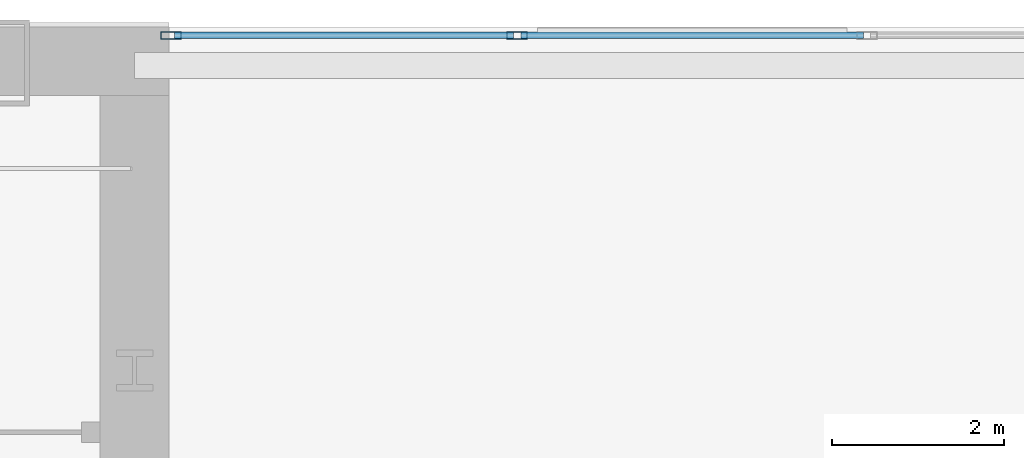
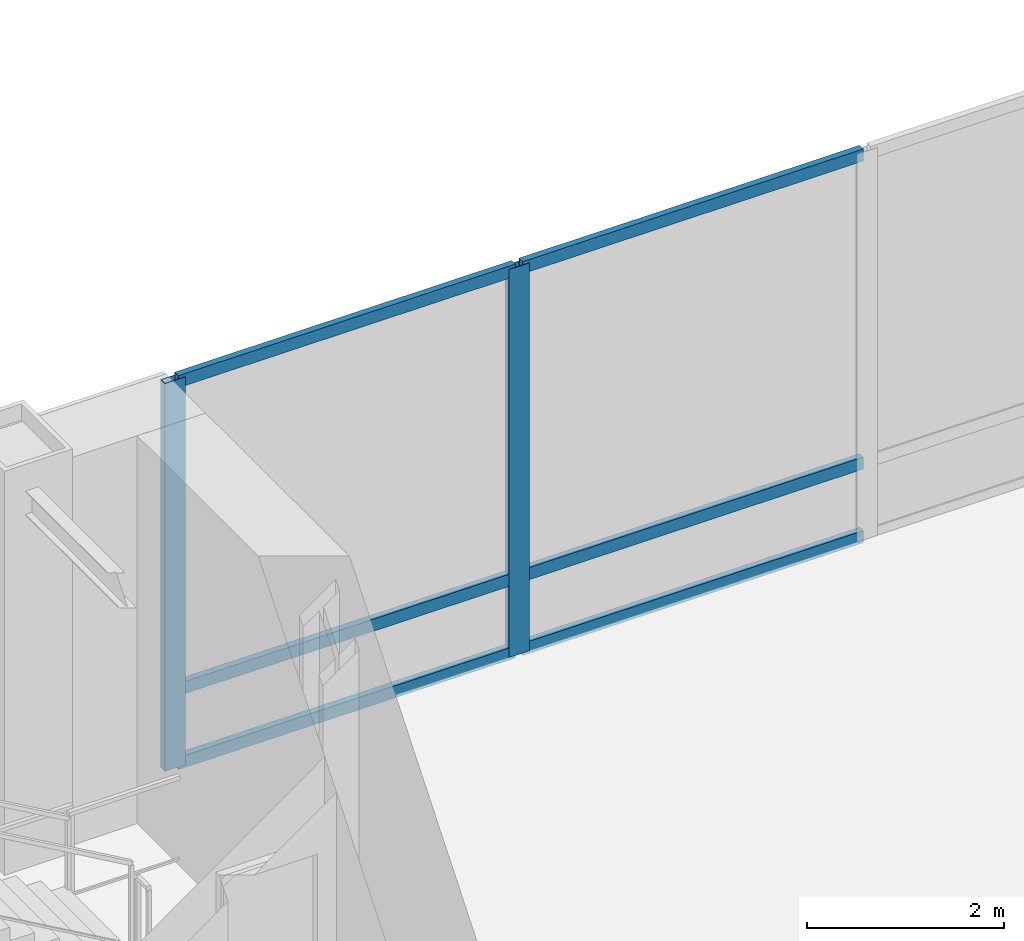
# One storey, part 13 of 25: 8 members, 1 element without a shape of its own.
"""IFC4 building model written with IfcOpenShell, lengths in metres."""

from ifc_helpers import new_model, si_unit, direction, frame, origin, origin_2d, place, context, subcontext, project, spatial, hollow_rectangle, extrude, material, material_profile, profile_set, type_object, element, aggregate, save


model = new_model("IFC4")

# Units and contexts
model_context = context("Model", 3, precision=1e-05, world=origin(), true_north=direction((0.0, 1.0)))
body_context = subcontext(model_context, "Body", "Model", "MODEL_VIEW")
ifc_project = project(units=[si_unit("LENGTHUNIT", "METRE"), si_unit("AREAUNIT", "SQUARE_METRE"), si_unit("VOLUMEUNIT", "CUBIC_METRE"), si_unit("PLANEANGLEUNIT", "RADIAN"), si_unit("MASSUNIT", "GRAM", prefix="KILO")], contexts=[model_context])

# Site, building, storey
site_placement = place(None, origin())
site = spatial("IfcSite", under=ifc_project, at=site_placement, CompositionType="ELEMENT")
building_placement = place(site_placement, origin())
building = spatial("IfcBuilding", under=site, at=building_placement, Name="Khoronbel Lancet Exchange", CompositionType="ELEMENT")
storey_placement = place(building_placement, frame((0.0, 0.0, 10.39990234375)))
storey = spatial("IfcBuildingStorey", under=building, at=storey_placement, Name="L02", CompositionType="ELEMENT", Elevation=10.39990234375)

# Curtain wall, members
ifc_material_1 = material(Name="Low-E Solar Control Insulating Glass", Category="glass")
curtain_wall_type = type_object("IfcCurtainWallType", Name="CW-5", PredefinedType="NOTDEFINED", material=ifc_material_1)
curtain_wall_placement = place(storey_placement, origin())
curtain_wall = element("IfcCurtainWall", 1, at=curtain_wall_placement, inside=storey, type_object=curtain_wall_type, Name="Unitised curtain wall CW-L02-NE", PredefinedType="NOTDEFINED")
ifc_material_2 = material(Name="Bronze-Anodised Aluminium 6063-T6", Category="aluminium")
ifc_material_profile_1 = material_profile(ifc_material_2, hollow_rectangle(XDim=0.0849609375, YDim=0.239990234375, WallThickness=0.006103515625, at=origin_2d()), Name="ALU MULLION 85x240")
ifc_profile_set_1 = profile_set([ifc_material_profile_1], Name="Bronze-Anodised Aluminium 6063-T6")
member_type_1 = type_object("IfcMemberType", Name="MEM-CWM1", PredefinedType="MULLION", material=ifc_profile_set_1)
member_1_placement = place(storey_placement, frame((56.722412109375, 53.60009765625, 0.0), z_axis=(0.0, 0.0, 1.0), x_axis=(0.0, 1.0, 0.0)))
member_1 = element("IfcMember", 2, at=member_1_placement, type_object=member_type_1, Name="CW5 mullion 1", PredefinedType="MULLION", context=body_context, shape_type="SweptSolid", body=[
    extrude(hollow_rectangle(XDim=0.0849609375, YDim=0.239990234375, WallThickness=0.006103515625, at=origin_2d()), origin(), (0.0, 0.0, 1.0), 4.800048828125),
])
member_2_placement = place(storey_placement, frame((60.75341796875, 53.60009765625, 0.0), z_axis=(0.0, 0.0, 1.0), x_axis=(0.0, 1.0, 0.0)))
member_2 = element("IfcMember", 3, at=member_2_placement, type_object=member_type_1, Name="CW5 mullion 2", PredefinedType="MULLION", context=body_context, shape_type="SweptSolid", body=[
    extrude(hollow_rectangle(XDim=0.0849609375, YDim=0.239990234375, WallThickness=0.006103515625, at=origin_2d()), origin(), (0.0, 0.0, 1.0), 4.800048828125),
])
ifc_material_profile_2 = material_profile(ifc_material_2, hollow_rectangle(XDim=0.074951171875, YDim=0.14990234375, WallThickness=0.00439453125, at=origin_2d()), Name="ALU TRANSOM 75x150")
ifc_profile_set_2 = profile_set([ifc_material_profile_2], Name="Bronze-Anodised Aluminium 6063-T6")
member_type_2 = type_object("IfcMemberType", Name="MEM-CWT2", PredefinedType="USERDEFINED", material=ifc_profile_set_2)
member_3_placement = place(storey_placement, frame((56.764892578125, 53.60009765625, 0.03759765625), z_axis=(1.0, 0.0, 0.0), x_axis=(0.0, 1.0, 0.0)))
member_3 = element("IfcMember", 4, at=member_3_placement, type_object=member_type_2, Name="CW5 transom 1.1", ObjectType="TRANSOM", PredefinedType="USERDEFINED", context=body_context, shape_type="SweptSolid", body=[
    extrude(hollow_rectangle(XDim=0.074951171875, YDim=0.14990234375, WallThickness=0.00439453125, at=origin_2d()), origin(), (0.0, 0.0, 1.0), 3.946044921875),
])
member_4_placement = place(storey_placement, frame((56.764892578125, 53.60009765625, 0.9501953125), z_axis=(1.0, 0.0, 0.0), x_axis=(0.0, 1.0, 0.0)))
member_4 = element("IfcMember", 5, at=member_4_placement, type_object=member_type_2, Name="CW5 transom 1.2", ObjectType="TRANSOM", PredefinedType="USERDEFINED", context=body_context, shape_type="SweptSolid", body=[
    extrude(hollow_rectangle(XDim=0.074951171875, YDim=0.14990234375, WallThickness=0.00439453125, at=origin_2d()), origin(), (0.0, 0.0, 1.0), 3.946044921875),
])
member_5_placement = place(storey_placement, frame((56.764892578125, 53.60009765625, 4.7626953125), z_axis=(1.0, 0.0, 0.0), x_axis=(0.0, 1.0, 0.0)))
member_5 = element("IfcMember", 6, at=member_5_placement, type_object=member_type_2, Name="CW5 transom 1.3", ObjectType="TRANSOM", PredefinedType="USERDEFINED", context=body_context, shape_type="SweptSolid", body=[
    extrude(hollow_rectangle(XDim=0.074951171875, YDim=0.14990234375, WallThickness=0.00439453125, at=origin_2d()), origin(), (0.0, 0.0, 1.0), 3.946044921875),
])
member_6_placement = place(storey_placement, frame((60.7958984375, 53.60009765625, 0.03759765625), z_axis=(1.0, 0.0, 0.0), x_axis=(0.0, 1.0, 0.0)))
member_6 = element("IfcMember", 7, at=member_6_placement, type_object=member_type_2, Name="CW5 transom 2.1", ObjectType="TRANSOM", PredefinedType="USERDEFINED", context=body_context, shape_type="SweptSolid", body=[
    extrude(hollow_rectangle(XDim=0.074951171875, YDim=0.14990234375, WallThickness=0.00439453125, at=origin_2d()), origin(), (0.0, 0.0, 1.0), 3.98828125),
])
member_7_placement = place(storey_placement, frame((60.7958984375, 53.60009765625, 0.9501953125), z_axis=(1.0, 0.0, 0.0), x_axis=(0.0, 1.0, 0.0)))
member_7 = element("IfcMember", 8, at=member_7_placement, type_object=member_type_2, Name="CW5 transom 2.2", ObjectType="TRANSOM", PredefinedType="USERDEFINED", context=body_context, shape_type="SweptSolid", body=[
    extrude(hollow_rectangle(XDim=0.074951171875, YDim=0.14990234375, WallThickness=0.00439453125, at=origin_2d()), origin(), (0.0, 0.0, 1.0), 3.98828125),
])
member_8_placement = place(storey_placement, frame((60.7958984375, 53.60009765625, 4.7626953125), z_axis=(1.0, 0.0, 0.0), x_axis=(0.0, 1.0, 0.0)))
member_8 = element("IfcMember", 9, at=member_8_placement, type_object=member_type_2, Name="CW5 transom 2.3", ObjectType="TRANSOM", PredefinedType="USERDEFINED", context=body_context, shape_type="SweptSolid", body=[
    extrude(hollow_rectangle(XDim=0.074951171875, YDim=0.14990234375, WallThickness=0.00439453125, at=origin_2d()), origin(), (0.0, 0.0, 1.0), 3.98828125),
])
aggregate(curtain_wall, [member_1, member_2, member_3, member_4, member_5, member_6, member_7, member_8])

save(model, "model.ifc")
